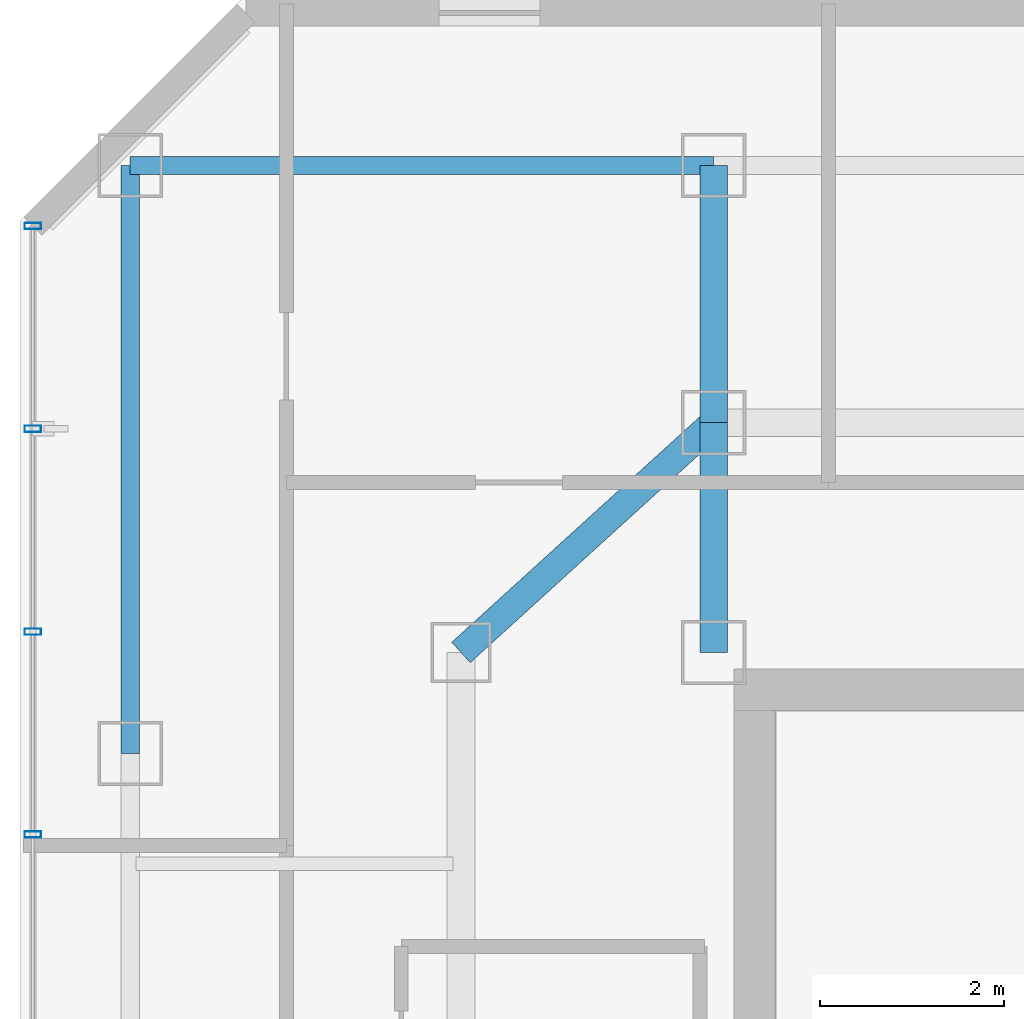
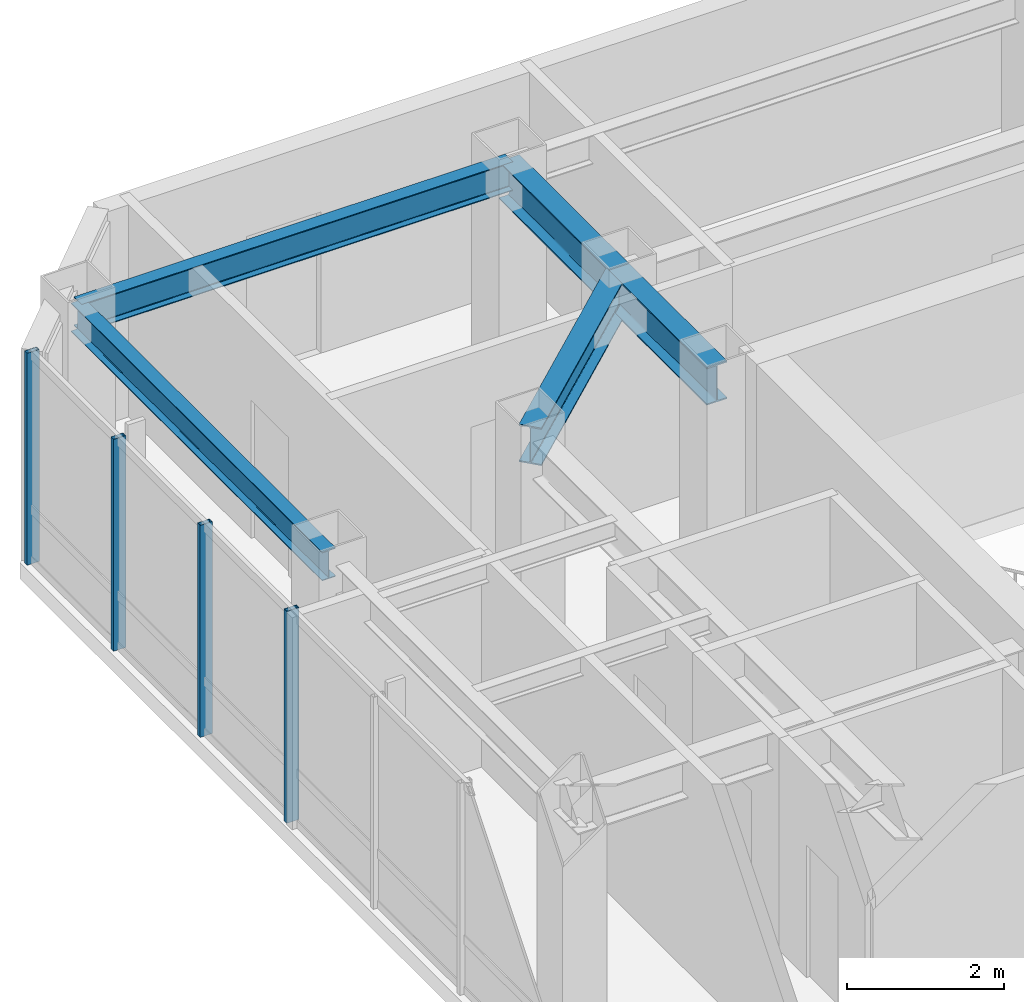
# One storey, part 15 of 25: 5 beams, 4 members, 1 element without a shape of its own.
"""IFC4 building model written with IfcOpenShell, lengths in metres."""

import ifcopenshell
import ifcopenshell.guid

model = None  # the IFC model being written
_history = None  # IfcOwnerHistory: only IFC2X3 demands one
_inside = {}  # id of a spatial element -> (the spatial element, [elements in it])
_under = {}  # id of a project, library or spatial element -> (it, [spatial elements below it])
_declared = {}  # id of a project -> (the project, [libraries it declares])
_typed = {}  # id of a type object -> (the type object, [elements of that type])
_made_of = {}  # id of a material, layer set ... -> (it, [elements and type objects made of it])


def new_model(schema):
    """Start an empty IFC model of exactly this schema.

    Asked for "IFC4X3", IfcOpenShell would pick the latest addendum, in which some entities
    have other attributes; the version numbers below select the first issue.
    IFC2X3 requires an IfcOwnerHistory on every rooted entity: one is made here for all.
    """
    global model, _history
    if schema == "IFC4X3":
        model = ifcopenshell.file(schema_version=(4, 3, 0, 0))
    else:
        model = ifcopenshell.file(schema=schema)
    _inside.clear()
    _under.clear()
    _declared.clear()
    _typed.clear()
    _made_of.clear()
    _history = None
    if model.schema == "IFC2X3":
        org = make("IfcOrganization", Name="unknown")
        user = make(
            "IfcPersonAndOrganization",
            ThePerson=make("IfcPerson", FamilyName="unknown"),
            TheOrganization=org,
        )
        app = make(
            "IfcApplication",
            ApplicationDeveloper=org,
            Version="unknown",
            ApplicationFullName="unknown",
            ApplicationIdentifier="unknown",
        )
        _history = make(
            "IfcOwnerHistory",
            OwningUser=user,
            OwningApplication=app,
            ChangeAction="ADDED",
            CreationDate=0,
        )
    return model


def make(cls, **values):
    """One entity of the class cls with the attributes given. An attribute that is None is left unset."""
    return model.create_entity(
        cls, **{name: value for name, value in values.items() if value is not None}
    )


def rooted(cls, **values):
    """An entity with a GlobalId (a new one), such as an element, a storey or a relation."""
    return make(cls, GlobalId=ifcopenshell.guid.new(), OwnerHistory=_history, **values)


def si_unit(unit_type, name, prefix=None):
    """IfcSIUnit, for example si_unit("LENGTHUNIT", "METRE", prefix="MILLI")."""
    return make("IfcSIUnit", UnitType=unit_type, Prefix=prefix, Name=name)


def assignment(units):
    """IfcUnitAssignment: the units of a project."""
    return None if units is None else make("IfcUnitAssignment", Units=units)


def point(xyz):
    """IfcCartesianPoint."""
    return None if xyz is None else make("IfcCartesianPoint", Coordinates=xyz)


def direction(xyz):
    """IfcDirection."""
    return None if xyz is None else make("IfcDirection", DirectionRatios=xyz)


def frame(location, z_axis=None, x_axis=None):
    """IfcAxis2Placement3D, a coordinate frame: its origin and axes. An axis left out is left unset."""
    return make(
        "IfcAxis2Placement3D",
        Location=point(location),
        Axis=direction(z_axis),
        RefDirection=direction(x_axis),
    )


def frame_2d(location, x_axis=None):
    """IfcAxis2Placement2D, a coordinate frame in the plane: its origin and x axis."""
    return make(
        "IfcAxis2Placement2D", Location=point(location), RefDirection=direction(x_axis)
    )


def origin():
    """The frame at (0, 0, 0) with its axes left unset."""
    return frame((0.0, 0.0, 0.0))


def origin_2d():
    """The frame at (0, 0) in the plane with its x axis left unset."""
    return frame_2d((0.0, 0.0))


def place(relative_to, where):
    """IfcLocalPlacement: puts the frame where relative to a parent placement (None: the world)."""
    return make(
        "IfcLocalPlacement", PlacementRelTo=relative_to, RelativePlacement=where
    )


def context(
    kind, dimensions, precision=None, world=None, true_north=None, identifier=None
):
    """IfcGeometricRepresentationContext, for example the 3D "Model" context."""
    return make(
        "IfcGeometricRepresentationContext",
        ContextIdentifier=identifier,
        ContextType=kind,
        CoordinateSpaceDimension=dimensions,
        Precision=precision,
        WorldCoordinateSystem=world,
        TrueNorth=true_north,
    )


def subcontext(parent, identifier, kind, view, scale=None):
    """IfcGeometricRepresentationSubContext, for example "Body" below "Model"."""
    return make(
        "IfcGeometricRepresentationSubContext",
        ContextIdentifier=identifier,
        ContextType=kind,
        ParentContext=parent,
        TargetScale=scale,
        TargetView=view,
    )


def project(units=None, contexts=None):
    """IfcProject with its units and contexts."""
    return rooted(
        "IfcProject",
        Name="project",
        RepresentationContexts=contexts,
        UnitsInContext=assignment(units),
    )


def spatial(cls, under=None, at=None, **own):
    """A site, building, storey or space (cls), placed at a placement, below another one or the project."""
    s = rooted(cls, ObjectPlacement=at, **own)
    if under is not None:
        _under.setdefault(under.id(), (under, []))[1].append(s)
    return s


def profile(cls, at=None, kind="AREA", **sizes):
    """A parametric profile (cls). Its sizes go by their IFC names, for example OverallWidth=200.0."""
    return make(cls, ProfileType=kind, Position=at, **sizes)


def hollow_rectangle(**sizes):
    """IfcRectangleHollowProfileDef."""
    return profile("IfcRectangleHollowProfileDef", **sizes)


def i_section(**sizes):
    """IfcIShapeProfileDef."""
    return profile("IfcIShapeProfileDef", **sizes)


def extrude(swept, where, along, depth):
    """IfcExtrudedAreaSolid: the profile swept, set in the frame where, extruded along a direction by depth."""
    return make(
        "IfcExtrudedAreaSolid",
        SweptArea=swept,
        Position=where,
        ExtrudedDirection=direction(along),
        Depth=depth,
    )


def shape(context_of_items, identifier, shape_type, items):
    """IfcShapeRepresentation: the items that make up one representation, for example the "Body"."""
    return make(
        "IfcShapeRepresentation",
        ContextOfItems=context_of_items,
        RepresentationIdentifier=identifier,
        RepresentationType=shape_type,
        Items=items,
    )


def material(Name=None, Category=None):
    """IfcMaterial."""
    return make("IfcMaterial", Name=Name, Category=Category)


def layer(
    of_material, thickness, ventilated=None, Name=None, Category=None, Priority=None
):
    """IfcMaterialLayer: one layer of a wall or slab, of a material (None: an air gap)."""
    return make(
        "IfcMaterialLayer",
        Material=of_material,
        LayerThickness=thickness,
        IsVentilated=ventilated,
        Name=Name,
        Category=Category,
        Priority=Priority,
    )


def layer_set(layers, Name=None):
    """IfcMaterialLayerSet."""
    return make("IfcMaterialLayerSet", MaterialLayers=layers, LayerSetName=Name)


def material_profile(
    of_material, cross_section, Name=None, Category=None, Priority=None
):
    """IfcMaterialProfile: a cross section and its material."""
    return make(
        "IfcMaterialProfile",
        Name=Name,
        Material=of_material,
        Profile=cross_section,
        Priority=Priority,
        Category=Category,
    )


def profile_set(profiles, Name=None, composite=None):
    """IfcMaterialProfileSet."""
    return make(
        "IfcMaterialProfileSet",
        Name=Name,
        MaterialProfiles=profiles,
        CompositeProfile=composite,
    )


def made_of(thing, what):
    """Note that an element or type object is made of a material, layer set ...; save() writes the relation."""
    if what is not None:
        _made_of.setdefault(what.id(), (what, []))[1].append(thing)
    return thing


def type_object(cls, material=None, **own):
    """A type object (cls), such as IfcWallType, which elements share."""
    return made_of(rooted(cls, **own), material)


def element(
    cls,
    number,
    at=None,
    inside=None,
    cuts=None,
    type_object=None,
    material=None,
    context=None,
    identifier="Body",
    shape_type=None,
    held_by="IfcProductDefinitionShape",
    body=None,
    shapes=None,
    **own,
):
    """One element of the class cls, such as IfcWall. Its Tag is "e" and its number.

    at: its placement. inside: the storey or other place that contains it. cuts: it is an
    opening in that element (IfcRelVoidsElement). A single representation is given by context,
    identifier, shape_type and body (its items); several are given by shapes. held_by: the class
    of the entity that holds the representations. save() writes the other relations.
    """
    e = rooted(cls, Tag="e%d" % number, ObjectPlacement=at, **own)
    if body is not None:
        shapes = [shape(context, identifier, shape_type, body)]
    if shapes is not None:
        e.Representation = make(held_by, Representations=shapes)
    if inside is not None:
        _inside.setdefault(inside.id(), (inside, []))[1].append(e)
    if cuts is not None:
        rooted(
            "IfcRelVoidsElement", RelatingBuildingElement=cuts, RelatedOpeningElement=e
        )
    if type_object is not None:
        _typed.setdefault(type_object.id(), (type_object, []))[1].append(e)
    return made_of(e, material)


def aggregate(whole, parts):
    """IfcRelAggregates: a whole, such as a stair, and the parts it consists of."""
    return rooted("IfcRelAggregates", RelatingObject=whole, RelatedObjects=parts)


def save(model, path):
    """Write the relations noted so far, then the file.

    IfcRelAggregates (storeys below a building ...), IfcRelContainedInSpatialStructure (elements
    in a storey), IfcRelDefinesByType, IfcRelAssociatesMaterial and IfcRelDeclares: one each for
    every whole, place, type object, material and project.
    """
    for whole, parts in _under.values():
        aggregate(whole, parts)
    for where, things in _inside.values():
        rooted(
            "IfcRelContainedInSpatialStructure",
            RelatedElements=things,
            RelatingStructure=where,
        )
    for kind, things in _typed.values():
        rooted("IfcRelDefinesByType", RelatedObjects=things, RelatingType=kind)
    for what, things in _made_of.values():
        rooted("IfcRelAssociatesMaterial", RelatedObjects=things, RelatingMaterial=what)
    for by, libraries in _declared.values():
        rooted("IfcRelDeclares", RelatingContext=by, RelatedDefinitions=libraries)
    model.write(path)


model = new_model("IFC4")

# Units and contexts
model_context = context("Model", 3, precision=1e-05, world=origin(), true_north=direction((0.0, 1.0)))
body_context = subcontext(model_context, "Body", "Model", "MODEL_VIEW")
ifc_project = project(units=[si_unit("LENGTHUNIT", "METRE"), si_unit("AREAUNIT", "SQUARE_METRE"), si_unit("VOLUMEUNIT", "CUBIC_METRE"), si_unit("PLANEANGLEUNIT", "RADIAN"), si_unit("MASSUNIT", "GRAM", prefix="KILO")], contexts=[model_context])

# Site, building, storey
site_placement = place(None, origin())
site = spatial("IfcSite", under=ifc_project, at=site_placement, CompositionType="ELEMENT")
building_placement = place(site_placement, origin())
building = spatial("IfcBuilding", under=site, at=building_placement, Name="Hatsunagi Terrace Concourse", CompositionType="ELEMENT")
storey_placement = place(building_placement, frame((0.0, 0.0, 231.14990234375)))
storey = spatial("IfcBuildingStorey", under=building, at=storey_placement, Name="L61", CompositionType="ELEMENT", Elevation=231.14990234375)

# Curtain wall, members
ifc_material_1 = material(Name="Anodised Aluminium Alloy 6063-T5", Category="aluminium")
ifc_layer = layer(ifc_material_1, 0.199951171875)
ifc_layer_set = layer_set([ifc_layer], Name="OfficeZone2_CW04")
curtain_wall_type = type_object("IfcCurtainWallType", Name="OfficeZone2_CW04", PredefinedType="NOTDEFINED", material=ifc_layer_set)
curtain_wall_placement = place(storey_placement, origin())
curtain_wall = element("IfcCurtainWall", 1, at=curtain_wall_placement, inside=storey, type_object=curtain_wall_type, Name="Unitised Curtain Wall CW-04 CW-L61-08", PredefinedType="NOTDEFINED")
ifc_material_2 = material(Name="Anodised Aluminium Alloy 6063-T5", Category="aluminium")
ifc_material_profile_1 = material_profile(ifc_material_2, hollow_rectangle(XDim=0.070068359375, YDim=0.179931640625, WallThickness=0.00390625, at=origin_2d()), Name="ALU-MUL-180x70x4")
ifc_profile_set_1 = profile_set([ifc_material_profile_1], Name="Anodised Aluminium Alloy 6063-T5")
member_type = type_object("IfcMemberType", Name="CurtainWallMullion_180x70", PredefinedType="MULLION", material=ifc_profile_set_1)
member_1_placement = place(storey_placement, frame((18.139892578125, 41.31689453125, 0.0), z_axis=(0.0, 0.0, 1.0), x_axis=(0.0, 1.0, 0.0)))
member_1 = element("IfcMember", 2, at=member_1_placement, type_object=member_type, Name="Curtain Wall Mullion MUL-02", PredefinedType="MULLION", context=body_context, shape_type="SweptSolid", body=[
    extrude(hollow_rectangle(XDim=0.070068359375, YDim=0.179931640625, WallThickness=0.00390625, at=origin_2d()), origin(), (0.0, 0.0, 1.0), 3.300048828125),
])
member_2_placement = place(storey_placement, frame((18.139892578125, 43.52490234375, 0.0), z_axis=(0.0, 0.0, 1.0), x_axis=(0.0, 1.0, 0.0)))
member_2 = element("IfcMember", 3, at=member_2_placement, type_object=member_type, Name="Curtain Wall Mullion MUL-02", PredefinedType="MULLION", context=body_context, shape_type="SweptSolid", body=[
    extrude(hollow_rectangle(XDim=0.070068359375, YDim=0.179931640625, WallThickness=0.00390625, at=origin_2d()), origin(), (0.0, 0.0, 1.0), 3.300048828125),
])
member_3_placement = place(storey_placement, frame((18.139892578125, 45.73388671875, 0.0), z_axis=(0.0, 0.0, 1.0), x_axis=(0.0, 1.0, 0.0)))
member_3 = element("IfcMember", 4, at=member_3_placement, type_object=member_type, Name="Curtain Wall Mullion MUL-02", PredefinedType="MULLION", context=body_context, shape_type="SweptSolid", body=[
    extrude(hollow_rectangle(XDim=0.070068359375, YDim=0.179931640625, WallThickness=0.00390625, at=origin_2d()), origin(), (0.0, 0.0, 1.0), 3.300048828125),
])
member_4_placement = place(storey_placement, frame((18.139892578125, 47.94189453125, 0.0), z_axis=(0.0, 0.0, 1.0), x_axis=(0.0, 1.0, 0.0)))
member_4 = element("IfcMember", 5, at=member_4_placement, type_object=member_type, Name="Curtain Wall Mullion MUL-02", PredefinedType="MULLION", context=body_context, shape_type="SweptSolid", body=[
    extrude(hollow_rectangle(XDim=0.070068359375, YDim=0.179931640625, WallThickness=0.00390625, at=origin_2d()), origin(), (0.0, 0.0, 1.0), 3.300048828125),
])
aggregate(curtain_wall, [member_1, member_2, member_3, member_4])

# Beams
ifc_material_3 = material(Name="Steel SN490B", Category="steel")
ifc_material_profile_2 = material_profile(ifc_material_3, i_section(OverallWidth=0.300048828125, OverallDepth=0.587890625, WebThickness=0.011962890625, FlangeThickness=0.02001953125, FilletRadius=0.01806640625, at=origin_2d()), Name="H-588x300x12x20")
ifc_profile_set_2 = profile_set([ifc_material_profile_2], Name="Steel SN490B")
beam_type_1 = type_object("IfcBeamType", Name="OfficeHighGirder_H_588x300", PredefinedType="BEAM", material=ifc_profile_set_2)
beam_1_placement = place(storey_placement, frame((25.550048828125, 43.300048828125, 3.006103515625), z_axis=(0.0, 1.0, 0.0), x_axis=(-1.0, 0.0, 0.0)))
element("IfcBeam", 6, at=beam_1_placement, inside=storey, type_object=beam_type_1, Name="Beam G-06 BM-L61-CN1", PredefinedType="BEAM", context=body_context, shape_type="SweptSolid", body=[
    extrude(i_section(OverallWidth=0.300048828125, OverallDepth=0.587890625, WebThickness=0.011962890625, FlangeThickness=0.02001953125, FilletRadius=0.01806640625, at=origin_2d()), origin(), (0.0, 0.0, 1.0), 2.5),
])
beam_2_placement = place(storey_placement, frame((25.550048828125, 45.800048828125, 3.006103515625), z_axis=(0.0, 1.0, 0.0), x_axis=(-1.0, 0.0, 0.0)))
element("IfcBeam", 7, at=beam_2_placement, inside=storey, type_object=beam_type_1, Name="Beam G-06 BM-L61-KN-WN4", PredefinedType="BEAM", context=body_context, shape_type="SweptSolid", body=[
    extrude(i_section(OverallWidth=0.300048828125, OverallDepth=0.587890625, WebThickness=0.011962890625, FlangeThickness=0.02001953125, FilletRadius=0.01806640625, at=origin_2d()), origin(), (0.0, 0.0, 1.0), 2.800048828125),
])
beam_3_placement = place(storey_placement, frame((22.800048828125, 43.300048828125, 3.006103515625), z_axis=(0.739940073396, 0.672672793996, 0.0), x_axis=(-0.672672793996, 0.739940073396, 0.0)))
element("IfcBeam", 8, at=beam_3_placement, inside=storey, type_object=beam_type_1, Name="Beam G-06 BM-L61-CWEW-N", PredefinedType="BEAM", context=body_context, shape_type="SweptSolid", body=[
    extrude(i_section(OverallWidth=0.300048828125, OverallDepth=0.587890625, WebThickness=0.011962890625, FlangeThickness=0.02001953125, FilletRadius=0.01806640625, at=origin_2d()), origin(), (0.0, 0.0, 1.0), 3.716552734375),
])
ifc_material_4 = material(Name="Steel SN490B", Category="steel")
ifc_material_profile_3 = material_profile(ifc_material_4, i_section(OverallWidth=0.199951171875, OverallDepth=0.449951171875, WebThickness=0.009033203125, FlangeThickness=0.013916015625, FilletRadius=0.01611328125, at=origin_2d()), Name="H-450x200x9x14")
ifc_profile_set_3 = profile_set([ifc_material_profile_3], Name="Steel SN490B")
beam_type_2 = type_object("IfcBeamType", Name="PerimeterSpandrel_H_450x200", PredefinedType="SPANDREL", material=ifc_profile_set_3)
beam_4_placement = place(storey_placement, frame((19.199951171875, 48.60009765625, 3.0751953125), z_axis=(1.0, 0.0, 0.0), x_axis=(0.0, 1.0, 0.0)))
element("IfcBeam", 9, at=beam_4_placement, inside=storey, type_object=beam_type_2, Name="Beam SP-02 BM-L61-WN-19", PredefinedType="SPANDREL", context=body_context, shape_type="SweptSolid", body=[
    extrude(i_section(OverallWidth=0.199951171875, OverallDepth=0.449951171875, WebThickness=0.009033203125, FlangeThickness=0.013916015625, FilletRadius=0.01611328125, at=origin_2d()), origin(), (0.0, 0.0, 1.0), 6.35009765625),
])
beam_5_placement = place(storey_placement, frame((19.199951171875, 42.199951171875, 3.0751953125), z_axis=(0.0, 1.0, 0.0), x_axis=(-1.0, 0.0, 0.0)))
element("IfcBeam", 10, at=beam_5_placement, inside=storey, type_object=beam_type_2, Name="Beam SP-02 BM-L61-NS-19-42", PredefinedType="SPANDREL", context=body_context, shape_type="SweptSolid", body=[
    extrude(i_section(OverallWidth=0.199951171875, OverallDepth=0.449951171875, WebThickness=0.009033203125, FlangeThickness=0.013916015625, FilletRadius=0.01611328125, at=origin_2d()), origin(), (0.0, 0.0, 1.0), 6.400146484375),
])

save(model, "model.ifc")
